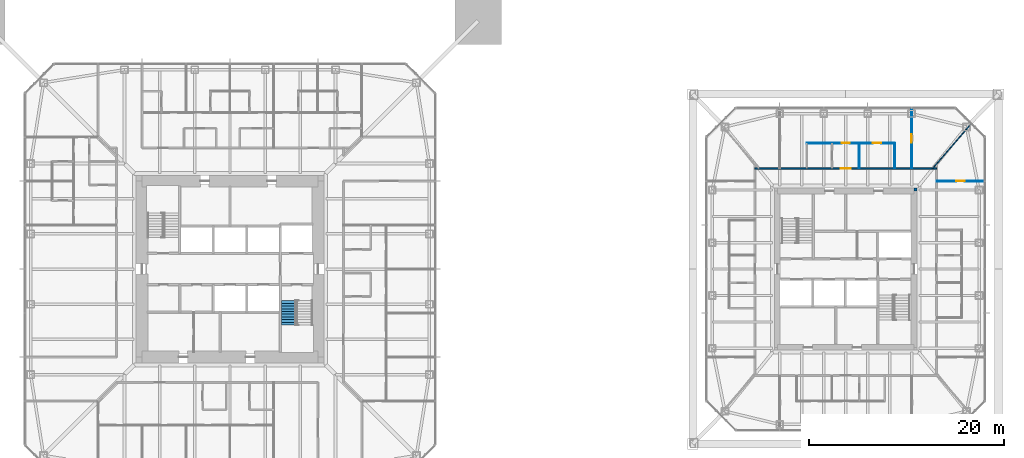
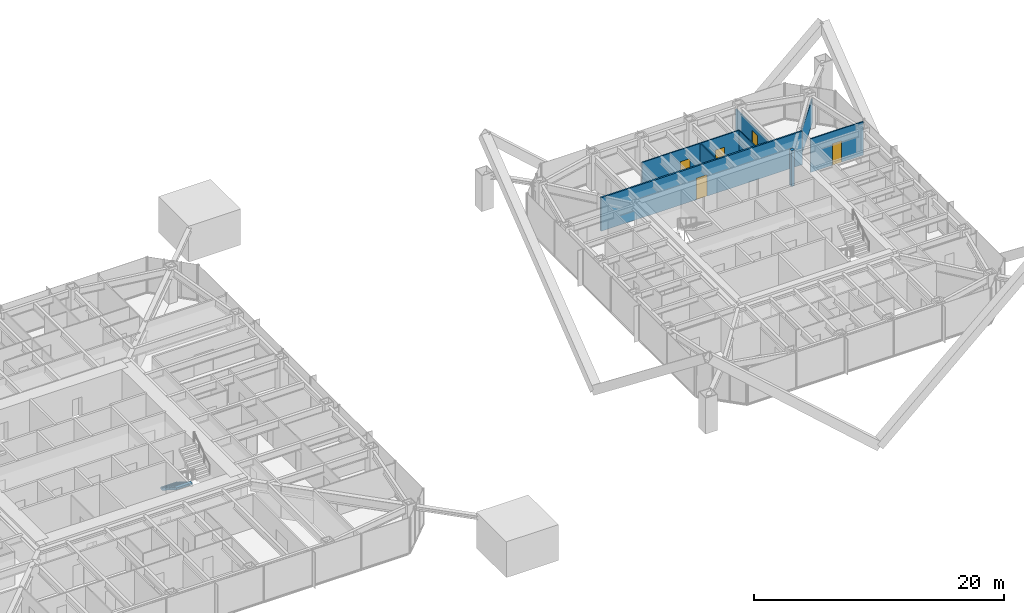
# One storey, part 17 of 23: 8 walls, 5 doors, 1 stair flight, 5 openings, 1 element without a shape of its own.
"""IFC4 building model written with IfcOpenShell, lengths in metres."""

from ifc_helpers import new_model, si_unit, direction, frame, frame_2d, origin, place, context, subcontext, project, spatial, polyline, rectangle, outline, extrude, material, layer, layer_set, constituent, constituent_set, type_object, element, fill, aggregate, save


model = new_model("IFC4")

# Units and contexts
model_context = context("Model", 3, precision=1e-05, world=origin(), true_north=direction((0.0, 1.0)))
body_context = subcontext(model_context, "Body", "Model", "MODEL_VIEW")
ifc_project = project(units=[si_unit("LENGTHUNIT", "METRE"), si_unit("AREAUNIT", "SQUARE_METRE"), si_unit("VOLUMEUNIT", "CUBIC_METRE"), si_unit("PLANEANGLEUNIT", "RADIAN"), si_unit("MASSUNIT", "GRAM", prefix="KILO")], contexts=[model_context])

# Site, building, storey
site_placement = place(None, origin())
site = spatial("IfcSite", under=ifc_project, at=site_placement, CompositionType="ELEMENT")
building_placement = place(site_placement, origin())
building = spatial("IfcBuilding", under=site, at=building_placement, Name="Iwan Alto Co-Living Towers", CompositionType="ELEMENT")
storey_placement = place(building_placement, frame((0.0, 0.0, 122.5)))
storey = spatial("IfcBuildingStorey", under=building, at=storey_placement, Name="L33", CompositionType="ELEMENT", Elevation=122.5)

# Wall, opening, door
ifc_material_1 = material(Name="Gypsum board")
ifc_layer_1 = layer(ifc_material_1, 0.02490234375, Name="Board", Category="Finish")
ifc_material_2 = material(Name="Steel ASTM A1003 ST33H cold-formed studs", Category="steel")
ifc_layer_2 = layer(ifc_material_2, 0.10009765625, Name="Studs", Category="Framing")
ifc_layer_3 = layer(ifc_material_1, 0.02490234375, Name="Board", Category="Finish")
ifc_layer_set_1 = layer_set([ifc_layer_1, ifc_layer_2, ifc_layer_3], Name="CORRIDOR WALL 150")
wall_type_1 = type_object("IfcWallType", Name="CORRIDOR WALL 150", PredefinedType="PARTITIONING", material=ifc_layer_set_1)
wall_1_placement = place(storey_placement, frame((53.699951171875, 10.300048828125, 0.0), z_axis=(0.0, 0.0, 1.0), x_axis=(1.0, 0.0, 0.0)))
wall_1 = element("IfcWall", 1, at=wall_1_placement, inside=storey, type_object=wall_type_1, Name="Partition L33", PredefinedType="PARTITIONING", context=body_context, shape_type="SweptSolid", body=[
    extrude(rectangle(XDim=18.60009765625, YDim=0.14990234375, at=frame_2d((9.300048828125, 0.0))), origin(), (0.0, 0.0, 1.0), 3.27001953125),
])
opening_1_placement = place(wall_1_placement, frame((8.800048828125, 0.0, 0.0)))
opening_1 = element("IfcOpeningElement", 2, at=opening_1_placement, cuts=wall_1, Name="Opening D3", PredefinedType="OPENING", context=body_context, shape_type="SweptSolid", body=[
    extrude(rectangle(XDim=1.0, YDim=2.10009765625, at=frame_2d((0.5, 1.050048828125))), frame((0.0, 0.0849609375, 0.0), z_axis=(0.0, -1.0, 0.0), x_axis=(1.0, 0.0, 0.0)), (0.0, 0.0, 1.0), 0.169921875),
])
ifc_material_3 = material(Name="Steel frame with timber leaf", Category="steel")
door_type_1 = type_object("IfcDoorType", Name="FLAT ENTRANCE DOOR FD30S 1000X2100", OperationType="SINGLE_SWING_LEFT", PredefinedType="DOOR", material=ifc_material_3)
door_1_placement = place(opening_1_placement, origin())
door_1 = element("IfcDoor", 3, at=door_1_placement, inside=storey, type_object=door_type_1, Name="Apartment foyer door L33", OperationType="SINGLE_SWING_LEFT", OverallHeight=2.10009765625, OverallWidth=1.0, PredefinedType="DOOR", context=body_context, shape_type="SweptSolid", body=[
    extrude(rectangle(XDim=1.0, YDim=2.10009765625, at=frame_2d((0.5, 1.050048828125))), frame((0.0, 0.02490234375, 0.0), z_axis=(0.0, -1.0, 0.0), x_axis=(1.0, 0.0, 0.0)), (0.0, 0.0, 1.0), 0.050048828125),
])
fill(opening_1, door_1)

ifc_layer_4 = layer(ifc_material_1, 0.012451171875, Name="Board", Category="Finish")
ifc_layer_5 = layer(ifc_material_2, 0.074951171875, Name="Studs", Category="Framing")
ifc_layer_6 = layer(ifc_material_1, 0.012451171875, Name="Board", Category="Finish")
ifc_layer_set_2 = layer_set([ifc_layer_4, ifc_layer_5, ifc_layer_6], Name="PARTITION 100")
wall_type_2 = type_object("IfcWallType", Name="PARTITION 100", PredefinedType="PARTITIONING", material=ifc_layer_set_2)
wall_2_placement = place(storey_placement, frame((72.300048828125, 9.0, 0.0), z_axis=(0.0, 0.0, 1.0), x_axis=(1.0, 0.0, 0.0)))
wall_2 = element("IfcWall", 4, at=wall_2_placement, inside=storey, type_object=wall_type_2, Name="Partition L33", PredefinedType="PARTITIONING", context=body_context, shape_type="SweptSolid", body=[
    extrude(rectangle(XDim=4.889892578125, YDim=0.10009765625, at=frame_2d((2.44482421875, 0.0))), origin(), (0.0, 0.0, 1.0), 3.27001953125),
])
opening_2_placement = place(wall_2_placement, frame((2.02001953125, 0.0, 0.0)))
opening_2 = element("IfcOpeningElement", 5, at=opening_2_placement, cuts=wall_2, Name="Opening D2", PredefinedType="OPENING", context=body_context, shape_type="SweptSolid", body=[
    extrude(rectangle(XDim=0.85009765625, YDim=2.10009765625, at=frame_2d((0.425048828125, 1.050048828125))), frame((0.0, 0.06005859375, 0.0), z_axis=(0.0, -1.0, 0.0), x_axis=(1.0, 0.0, 0.0)), (0.0, 0.0, 1.0), 0.1201171875),
])
ifc_material_4 = material(Name="Timber leaf in steel frame", Category="steel")
door_type_2 = type_object("IfcDoorType", Name="ROOM DOOR 850X2100", OperationType="SINGLE_SWING_LEFT", PredefinedType="DOOR", material=ifc_material_4)
door_2_placement = place(opening_2_placement, frame((0.85009765625, 0.0, 0.0), z_axis=(0.0, 0.0, 1.0), x_axis=(-1.0, 0.0, 0.0)))
door_2 = element("IfcDoor", 6, at=door_2_placement, inside=storey, type_object=door_type_2, Name="Bedroom door L33", OperationType="SINGLE_SWING_RIGHT", OverallHeight=2.10009765625, OverallWidth=0.85009765625, PredefinedType="DOOR", context=body_context, shape_type="SweptSolid", body=[
    extrude(rectangle(XDim=0.85009765625, YDim=2.10009765625, at=frame_2d((0.425048828125, 1.050048828125))), frame((0.0, 0.02490234375, 0.0), z_axis=(0.0, -1.0, 0.0), x_axis=(1.0, 0.0, 0.0)), (0.0, 0.0, 1.0), 0.050048828125),
])
fill(opening_2, door_2)

# Wall, openings, doors
wall_3_placement = place(storey_placement, frame((59.0, 12.89990234375, 0.0), z_axis=(0.0, 0.0, 1.0), x_axis=(1.0, 0.0, 0.0)))
wall_3 = element("IfcWall", 7, at=wall_3_placement, inside=storey, type_object=wall_type_2, Name="Partition L33", PredefinedType="PARTITIONING", context=body_context, shape_type="SweptSolid", body=[
    extrude(rectangle(XDim=9.0, YDim=0.10009765625, at=frame_2d((4.5, 0.0))), origin(), (0.0, 0.0, 1.0), 3.27001953125),
])
opening_3_placement = place(wall_3_placement, frame((6.77490234375, 0.0, 0.0)))
opening_3 = element("IfcOpeningElement", 8, at=opening_3_placement, cuts=wall_3, Name="Opening D2", PredefinedType="OPENING", context=body_context, shape_type="SweptSolid", body=[
    extrude(rectangle(XDim=0.85009765625, YDim=2.10009765625, at=frame_2d((0.425048828125, 1.050048828125))), frame((0.0, 0.06005859375, 0.0), z_axis=(0.0, -1.0, 0.0), x_axis=(1.0, 0.0, 0.0)), (0.0, 0.0, 1.0), 0.1201171875),
])
opening_4_placement = place(wall_3_placement, frame((3.574951171875, 0.0, 0.0)))
opening_4 = element("IfcOpeningElement", 9, at=opening_4_placement, cuts=wall_3, Name="Opening D2", PredefinedType="OPENING", context=body_context, shape_type="SweptSolid", body=[
    extrude(rectangle(XDim=0.85009765625, YDim=2.10009765625, at=frame_2d((0.425048828125, 1.050048828125))), frame((0.0, 0.06005859375, 0.0), z_axis=(0.0, -1.0, 0.0), x_axis=(1.0, 0.0, 0.0)), (0.0, 0.0, 1.0), 0.1201171875),
])
door_3_placement = place(opening_3_placement, origin())
door_3 = element("IfcDoor", 10, at=door_3_placement, inside=storey, type_object=door_type_2, Name="Kitchen door L33", OperationType="SINGLE_SWING_RIGHT", OverallHeight=2.10009765625, OverallWidth=0.85009765625, PredefinedType="DOOR", context=body_context, shape_type="SweptSolid", body=[
    extrude(rectangle(XDim=0.85009765625, YDim=2.10009765625, at=frame_2d((0.425048828125, 1.050048828125))), frame((0.0, 0.02490234375, 0.0), z_axis=(0.0, -1.0, 0.0), x_axis=(1.0, 0.0, 0.0)), (0.0, 0.0, 1.0), 0.050048828125),
])
fill(opening_3, door_3)
door_4_placement = place(opening_4_placement, origin())
door_4 = element("IfcDoor", 11, at=door_4_placement, inside=storey, type_object=door_type_2, Name="Apartment foyer door L33", OperationType="SINGLE_SWING_LEFT", OverallHeight=2.10009765625, OverallWidth=0.85009765625, PredefinedType="DOOR", context=body_context, shape_type="SweptSolid", body=[
    extrude(rectangle(XDim=0.85009765625, YDim=2.10009765625, at=frame_2d((0.425048828125, 1.050048828125))), frame((0.0, 0.02490234375, 0.0), z_axis=(0.0, -1.0, 0.0), x_axis=(1.0, 0.0, 0.0)), (0.0, 0.0, 1.0), 0.050048828125),
])
fill(opening_4, door_4)

# Wall
wall_4_placement = place(storey_placement, frame((71.89501953125, 10.300048828125, 0.0), z_axis=(0.0, 0.0, 1.0), x_axis=(0.65378286253, 0.756682211144, 0.0)))
element("IfcWall", 12, at=wall_4_placement, inside=storey, type_object=wall_type_2, Name="Partition L33", PredefinedType="PARTITIONING", context=body_context, shape_type="SweptSolid", body=[
    extrude(rectangle(XDim=6.005126953125, YDim=0.10009765625, at=frame_2d((3.00244140625, 0.0))), origin(), (0.0, 0.0, 1.0), 2.42919921875),
])

# Wall, opening, door
wall_5_placement = place(storey_placement, frame((69.75, 10.300048828125, 0.0), z_axis=(0.0, 0.0, 1.0), x_axis=(0.0, 1.0, 0.0)))
wall_5 = element("IfcWall", 13, at=wall_5_placement, inside=storey, type_object=wall_type_2, Name="Partition L33", PredefinedType="PARTITIONING", context=body_context, shape_type="SweptSolid", body=[
    extrude(rectangle(XDim=6.139892578125, YDim=0.10009765625, at=frame_2d((3.06982421875, 0.0))), origin(), (0.0, 0.0, 1.0), 2.586669921875),
])
opening_5_placement = place(wall_5_placement, frame((2.64501953125, 0.0, 0.0)))
opening_5 = element("IfcOpeningElement", 14, at=opening_5_placement, cuts=wall_5, Name="Opening D2", PredefinedType="OPENING", context=body_context, shape_type="SweptSolid", body=[
    extrude(rectangle(XDim=0.85009765625, YDim=2.10009765625, at=frame_2d((0.425048828125, 1.050048828125))), frame((0.0, 0.06005859375, 0.0), z_axis=(0.0, -1.0, 0.0), x_axis=(1.0, 0.0, 0.0)), (0.0, 0.0, 1.0), 0.1201171875),
])
door_5_placement = place(opening_5_placement, origin())
door_5 = element("IfcDoor", 15, at=door_5_placement, inside=storey, type_object=door_type_2, Name="Study door L33", OperationType="SINGLE_SWING_LEFT", OverallHeight=2.10009765625, OverallWidth=0.85009765625, PredefinedType="DOOR", context=body_context, shape_type="SweptSolid", body=[
    extrude(rectangle(XDim=0.85009765625, YDim=2.10009765625, at=frame_2d((0.425048828125, 1.050048828125))), frame((0.0, 0.02490234375, 0.0), z_axis=(0.0, -1.0, 0.0), x_axis=(1.0, 0.0, 0.0)), (0.0, 0.0, 1.0), 0.050048828125),
])
fill(opening_5, door_5)

# Walls
for number, where, z_axis, x_axis, name in (
    (16, (68.0, 10.300048828125, 0.0), (0.0, 0.0, 1.0), (0.0, 1.0, 0.0), "Partition L33"),
    (17, (64.39990234375, 10.300048828125, 0.0), (0.0, 0.0, 1.0), (0.0, 1.0, 0.0), "Partition L33"),
):
    element("IfcWall", number, at=place(storey_placement, frame(where, z_axis=z_axis, x_axis=x_axis)), inside=storey, type_object=wall_type_2, Name=name, PredefinedType="PARTITIONING", context=body_context, shape_type="SweptSolid", body=[
        extrude(rectangle(XDim=2.599853515625, YDim=0.10009765625, at=frame_2d((1.2998046875, 0.0))), origin(), (0.0, 0.0, 1.0), 3.27001953125),
    ])
ifc_material_5 = material(Name="Concrete f'c 70 MPa", Category="concrete")
ifc_layer_7 = layer(ifc_material_5, 0.300048828125)
ifc_layer_set_3 = layer_set([ifc_layer_7], Name="T2 CORE CORNER FILL 300")
wall_type_3 = type_object("IfcWallType", Name="T2 CORE CORNER FILL 300", PredefinedType="SOLIDWALL", material=ifc_layer_set_3)
wall_6_placement = place(storey_placement, frame((70.0, 8.14990234375, 0.0), z_axis=(0.0, 0.0, 1.0), x_axis=(1.0, 0.0, 0.0)))
element("IfcWall", 18, at=wall_6_placement, inside=storey, type_object=wall_type_3, Name="T2 core corner NE L33", PredefinedType="SOLIDWALL", context=body_context, shape_type="SweptSolid", body=[
    extrude(rectangle(XDim=0.300048828125, YDim=0.300048828125, at=frame_2d((0.14990234375, 0.0))), origin(), (0.0, 0.0, 1.0), 3.5),
])

# Stair, stair flight
ifc_material_6 = material(Name="Steel ASTM A36", Category="steel")
ifc_constituent_1 = constituent(ifc_material_6, Name="Stringers", Category="LoadBearing")
ifc_material_7 = material(Name="Concrete f'c 30 MPa", Category="concrete")
ifc_constituent_2 = constituent(ifc_material_7, Name="Tread fill", Category="Finish")
ifc_constituent_set_1 = constituent_set(constituents=[ifc_constituent_1, ifc_constituent_2], Name="STAIR 3500 TWO-FLIGHT T1 CORE")
stair_type = type_object("IfcStairType", Name="STAIR 3500 TWO-FLIGHT T1 CORE", PredefinedType="HALF_TURN_STAIR", material=ifc_constituent_set_1)
stair_placement = place(storey_placement, origin())
stair = element("IfcStair", 19, at=stair_placement, inside=storey, type_object=stair_type, Name="Stair T1-S2 L33 to L34", PredefinedType="HALF_TURN_STAIR")
ifc_constituent_3 = constituent(ifc_material_6, Name="Stringers", Category="LoadBearing")
ifc_constituent_4 = constituent(ifc_material_7, Name="Tread fill", Category="Finish")
ifc_constituent_set_2 = constituent_set(constituents=[ifc_constituent_3, ifc_constituent_4], Name="STAIR FLIGHT 10 RISERS 280 GOING")
stair_flight_type = type_object("IfcStairFlightType", Name="STAIR FLIGHT 10 RISERS 280 GOING", PredefinedType="STRAIGHT", material=ifc_constituent_set_2)
stair_flight_placement = place(storey_placement, frame((6.010009765625, -3.219970703125, 0.0), z_axis=(0.0, 0.0, 1.0), x_axis=(0.0, -1.0, 0.0)))
stair_flight = element("IfcStairFlight", 20, at=stair_flight_placement, type_object=stair_flight_type, Name="T1-S2 flight 1", NumberOfRisers=10, NumberOfTreads=9, PredefinedType="STRAIGHT", RiserHeight=0.175, TreadLength=0.28, context=body_context, shape_type="SweptSolid", body=[
    extrude(outline(polyline([(0.0, 0.0), (0.0, 0.175048828125), (0.280029296875, 0.175048828125), (0.280029296875, 0.35009765625), (0.56005859375, 0.35009765625), (0.56005859375, 0.52490234375), (0.840087890625, 0.52490234375), (0.840087890625, 0.699951171875), (1.1201171875, 0.699951171875), (1.1201171875, 0.875), (1.39990234375, 0.875), (1.39990234375, 1.050048828125), (1.679931640625, 1.050048828125), (1.679931640625, 1.22509765625), (1.9599609375, 1.22509765625), (1.9599609375, 1.39990234375), (2.239990234375, 1.39990234375), (2.239990234375, 1.574951171875), (2.52001953125, 1.574951171875), (2.52001953125, 1.75), (2.52001953125, 1.398193359375), (0.28271484375, 0.0), (0.0, 0.0)])), frame((0.0, 0.739990234375, 0.0), z_axis=(0.0, -1.0, 0.0), x_axis=(1.0, 0.0, 0.0)), (0.0, 0.0, 1.0), 1.47998046875),
])
aggregate(stair, [stair_flight])

save(model, "model.ifc")
